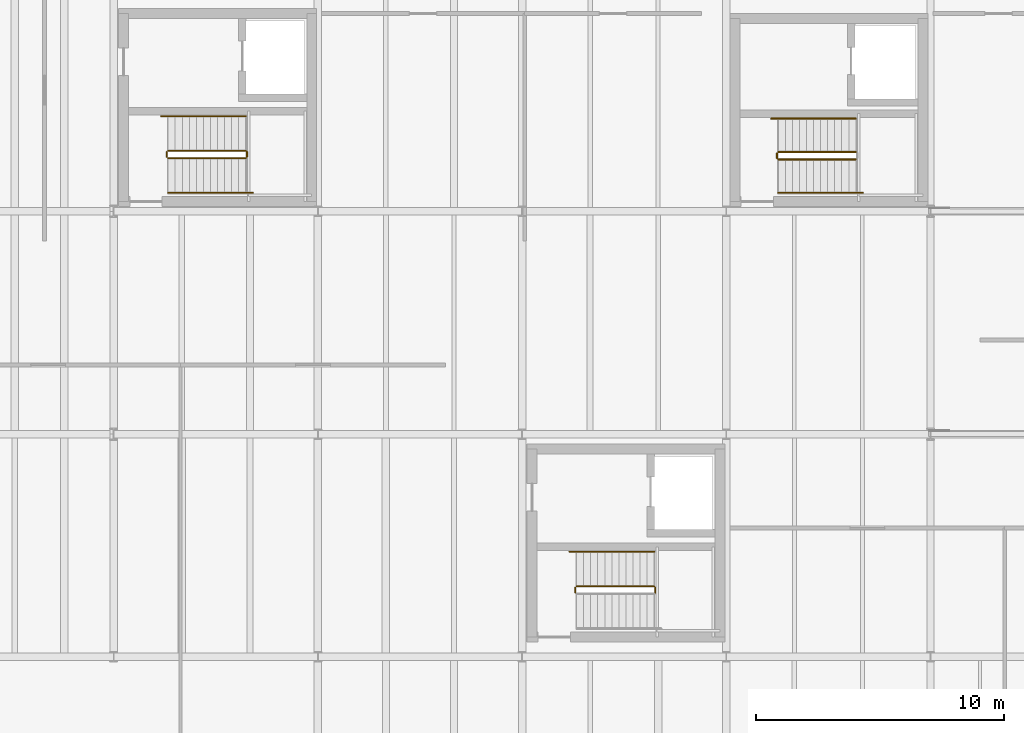
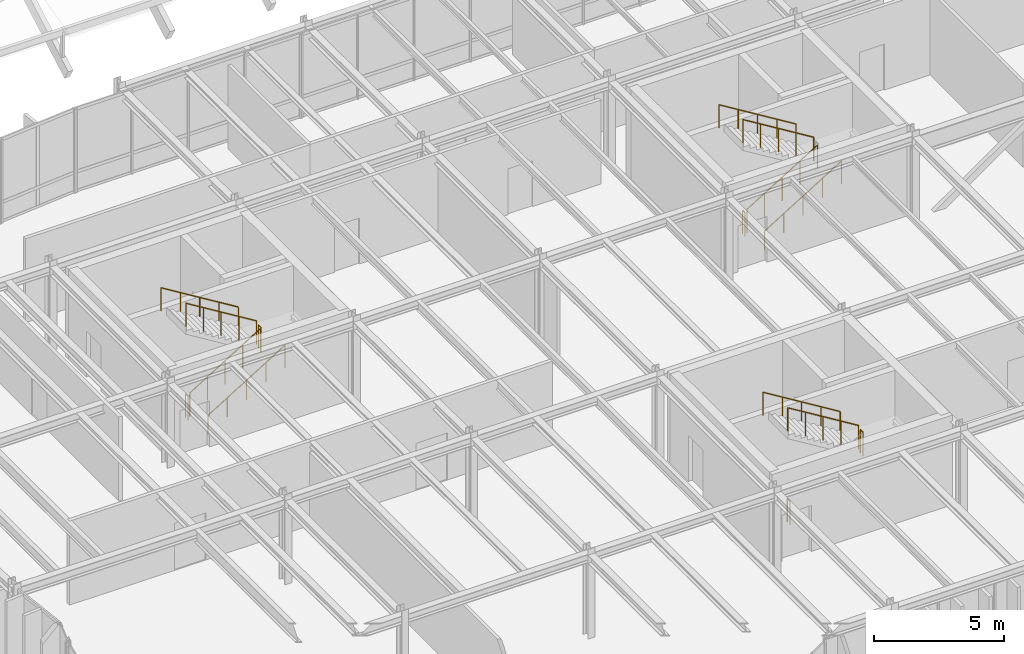
# One storey, part 62 of 69: 15 railings.
"""IFC4 building model written with IfcOpenShell, lengths in metres."""

from ifc_helpers import new_model, si_unit, direction, frame, origin, origin_2d, place, context, subcontext, project, spatial, circle, extrude, material, layer, layer_set, type_object, element, save


model = new_model("IFC4")

# Units and contexts
model_context = context("Model", 3, precision=1e-05, world=origin(), true_north=direction((0.0, 1.0)))
body_context = subcontext(model_context, "Body", "Model", "MODEL_VIEW")
ifc_project = project(units=[si_unit("LENGTHUNIT", "METRE"), si_unit("AREAUNIT", "SQUARE_METRE"), si_unit("VOLUMEUNIT", "CUBIC_METRE"), si_unit("PLANEANGLEUNIT", "RADIAN"), si_unit("MASSUNIT", "GRAM", prefix="KILO")], contexts=[model_context])

# Site, building, storey
site_placement = place(None, origin())
site = spatial("IfcSite", under=ifc_project, at=site_placement, CompositionType="ELEMENT")
building_placement = place(site_placement, origin())
building = spatial("IfcBuilding", under=site, at=building_placement, Name="Montealbar Specialist Clinic", CompositionType="ELEMENT")
storey_placement = place(building_placement, frame((0.0, 0.0, 9.60009765625)))
storey = spatial("IfcBuildingStorey", under=building, at=storey_placement, Name="L02", CompositionType="ELEMENT", Elevation=9.60009765625)

# Railings
ifc_material = material(Name="Steel S355", Category="steel")
ifc_layer_1 = layer(ifc_material, 0.050048828125, Name="Steel S355", Category="steel")
ifc_layer_set_1 = layer_set([ifc_layer_1], Name="Steel S355")
railing_type_1 = type_object("IfcRailingType", Name="RAIL-STAIR-BAL-1100", PredefinedType="BALUSTRADE", material=ifc_layer_set_1)
railing_1_placement = place(storey_placement, frame((68.199951171875, 29.14990234375, 0.1748046875)))
element("IfcRailing", 1, at=railing_1_placement, inside=storey, type_object=railing_type_1, Name="L02 ST-03 stair guard 1", PredefinedType="BALUSTRADE", context=body_context, shape_type="SweptSolid", body=[
    extrude(circle(Radius=0.02392578125, at=origin_2d()), frame((0.0, 0.0, 1.076171875), z_axis=(0.852166034122, 0.0, 0.523271488128), x_axis=(0.0, 1.0, 0.0)), (0.0, 0.0, 1.0), 3.678955078125),
    extrude(circle(Radius=0.02099609375, at=origin_2d()), frame((0.0, 0.0, -0.02490234375)), (0.0, 0.0, 1.0), 1.076904296875),
    extrude(circle(Radius=0.02099609375, at=origin_2d()), frame((0.78369140625, 0.0, 0.456298828125)), (0.0, 0.0, 1.0), 1.076904296875),
    extrude(circle(Radius=0.02099609375, at=origin_2d()), frame((1.5673828125, 0.0, 0.9375)), (0.0, 0.0, 1.0), 1.076904296875),
    extrude(circle(Radius=0.02099609375, at=origin_2d()), frame((2.351318359375, 0.0, 1.418701171875)), (0.0, 0.0, 1.0), 1.076904296875),
    extrude(circle(Radius=0.02099609375, at=origin_2d()), frame((3.135009765625, 0.0, 1.900146484375)), (0.0, 0.0, 1.0), 1.076904296875),
])
railing_2_placement = place(storey_placement, frame((71.385009765625, 29.199951171875, 2.099853515625)))
element("IfcRailing", 2, at=railing_2_placement, inside=storey, type_object=railing_type_1, Name="L02 ST-03 stair guard 2", PredefinedType="BALUSTRADE", context=body_context, shape_type="SweptSolid", body=[
    extrude(circle(Radius=0.02392578125, at=origin_2d()), frame((0.0, 0.0, 1.076171875), z_axis=(0.0, 1.0, 0.0), x_axis=(-1.0, 0.0, 0.0)), (0.0, 0.0, 1.0), 0.199951171875),
    extrude(circle(Radius=0.02099609375, at=origin_2d()), frame((0.0, 0.0, -0.02490234375)), (0.0, 0.0, 1.0), 1.076904296875),
    extrude(circle(Radius=0.02099609375, at=origin_2d()), frame((0.0, 0.199951171875, -0.02490234375)), (0.0, 0.0, 1.0), 1.076904296875),
])
railing_3_placement = place(storey_placement, frame((71.3349609375, 29.449951171875, 2.27490234375)))
element("IfcRailing", 3, at=railing_3_placement, inside=storey, type_object=railing_type_1, Name="L02 ST-03 stair guard 3", PredefinedType="BALUSTRADE", context=body_context, shape_type="SweptSolid", body=[
    extrude(circle(Radius=0.02392578125, at=origin_2d()), frame((0.0, 0.0, 1.076171875), z_axis=(-0.852166034122, 0.0, 0.523271488128), x_axis=(0.0, -1.0, 0.0)), (0.0, 0.0, 1.0), 3.678955078125),
    extrude(circle(Radius=0.02099609375, at=origin_2d()), frame((0.0, 0.0, -0.02490234375)), (0.0, 0.0, 1.0), 1.076904296875),
    extrude(circle(Radius=0.02099609375, at=origin_2d()), frame((-0.78369140625, 0.0, 0.456298828125)), (0.0, 0.0, 1.0), 1.076904296875),
    extrude(circle(Radius=0.02099609375, at=origin_2d()), frame((-1.5673828125, 0.0, 0.9375)), (0.0, 0.0, 1.0), 1.076904296875),
    extrude(circle(Radius=0.02099609375, at=origin_2d()), frame((-2.351318359375, 0.0, 1.418701171875)), (0.0, 0.0, 1.0), 1.076904296875),
    extrude(circle(Radius=0.02099609375, at=origin_2d()), frame((-3.135009765625, 0.0, 1.900146484375)), (0.0, 0.0, 1.0), 1.076904296875),
])
for number, where, name in (
    (4, (68.14990234375, 29.199951171875, 0.0), "L02 ST-03 stair guard 4"),
    (5, (87.885009765625, 11.60009765625, 2.099853515625), "L02 ST-04 stair guard 2"),
):
    element("IfcRailing", number, at=place(storey_placement, frame(where)), inside=storey, type_object=railing_type_1, Name=name, PredefinedType="BALUSTRADE", context=body_context, shape_type="SweptSolid", body=[
        extrude(circle(Radius=0.02392578125, at=origin_2d()), frame((0.0, 0.0, 1.076171875), z_axis=(0.0, 1.0, 0.0), x_axis=(-1.0, 0.0, 0.0)), (0.0, 0.0, 1.0), 0.199951171875),
        extrude(circle(Radius=0.02099609375, at=origin_2d()), frame((0.0, 0.0, -0.02490234375)), (0.0, 0.0, 1.0), 1.076904296875),
        extrude(circle(Radius=0.02099609375, at=origin_2d()), frame((0.0, 0.199951171875, -0.02490234375)), (0.0, 0.0, 1.0), 1.076904296875),
    ])
railing_4_placement = place(storey_placement, frame((87.8349609375, 11.85009765625, 2.27490234375)))
element("IfcRailing", 6, at=railing_4_placement, inside=storey, type_object=railing_type_1, Name="L02 ST-04 stair guard 3", PredefinedType="BALUSTRADE", context=body_context, shape_type="SweptSolid", body=[
    extrude(circle(Radius=0.02392578125, at=origin_2d()), frame((0.0, 0.0, 1.076171875), z_axis=(-0.852166034122, 0.0, 0.523271488128), x_axis=(0.0, -1.0, 0.0)), (0.0, 0.0, 1.0), 3.678955078125),
    extrude(circle(Radius=0.02099609375, at=origin_2d()), frame((0.0, 0.0, -0.02490234375)), (0.0, 0.0, 1.0), 1.076904296875),
    extrude(circle(Radius=0.02099609375, at=origin_2d()), frame((-0.78369140625, 0.0, 0.456298828125)), (0.0, 0.0, 1.0), 1.076904296875),
    extrude(circle(Radius=0.02099609375, at=origin_2d()), frame((-1.5673828125, 0.0, 0.9375)), (0.0, 0.0, 1.0), 1.076904296875),
    extrude(circle(Radius=0.02099609375, at=origin_2d()), frame((-2.351318359375, 0.0, 1.418701171875)), (0.0, 0.0, 1.0), 1.076904296875),
    extrude(circle(Radius=0.02099609375, at=origin_2d()), frame((-3.135009765625, 0.0, 1.900146484375)), (0.0, 0.0, 1.0), 1.076904296875),
])
railing_5_placement = place(storey_placement, frame((84.64990234375, 11.60009765625, 0.0)))
element("IfcRailing", 7, at=railing_5_placement, inside=storey, type_object=railing_type_1, Name="L02 ST-04 stair guard 4", PredefinedType="BALUSTRADE", context=body_context, shape_type="SweptSolid", body=[
    extrude(circle(Radius=0.02392578125, at=origin_2d()), frame((0.0, 0.0, 1.076171875), z_axis=(0.0, 1.0, 0.0), x_axis=(-1.0, 0.0, 0.0)), (0.0, 0.0, 1.0), 0.199951171875),
    extrude(circle(Radius=0.02099609375, at=origin_2d()), frame((0.0, 0.0, -0.02490234375)), (0.0, 0.0, 1.0), 1.076904296875),
    extrude(circle(Radius=0.02099609375, at=origin_2d()), frame((0.0, 0.199951171875, -0.02490234375)), (0.0, 0.0, 1.0), 1.076904296875),
])
railing_6_placement = place(storey_placement, frame((92.85009765625, 29.10009765625, 0.1748046875)))
element("IfcRailing", 8, at=railing_6_placement, inside=storey, type_object=railing_type_1, Name="L02 ST-05 stair guard 1", PredefinedType="BALUSTRADE", context=body_context, shape_type="SweptSolid", body=[
    extrude(circle(Radius=0.02392578125, at=origin_2d()), frame((0.0, 0.0, 1.076171875), z_axis=(0.852166034122, 0.0, 0.523271488128), x_axis=(0.0, 1.0, 0.0)), (0.0, 0.0, 1.0), 3.678955078125),
    extrude(circle(Radius=0.02099609375, at=origin_2d()), frame((0.0, 0.0, -0.02490234375)), (0.0, 0.0, 1.0), 1.076904296875),
    extrude(circle(Radius=0.02099609375, at=origin_2d()), frame((0.78369140625, 0.0, 0.456298828125)), (0.0, 0.0, 1.0), 1.076904296875),
    extrude(circle(Radius=0.02099609375, at=origin_2d()), frame((1.5673828125, 0.0, 0.9375)), (0.0, 0.0, 1.0), 1.076904296875),
    extrude(circle(Radius=0.02099609375, at=origin_2d()), frame((2.351318359375, 0.0, 1.418701171875)), (0.0, 0.0, 1.0), 1.076904296875),
    extrude(circle(Radius=0.02099609375, at=origin_2d()), frame((3.135009765625, 0.0, 1.900146484375)), (0.0, 0.0, 1.0), 1.076904296875),
])
railing_7_placement = place(storey_placement, frame((95.985107421875, 29.39990234375, 2.27490234375)))
element("IfcRailing", 9, at=railing_7_placement, inside=storey, type_object=railing_type_1, Name="L02 ST-05 stair guard 3", PredefinedType="BALUSTRADE", context=body_context, shape_type="SweptSolid", body=[
    extrude(circle(Radius=0.02392578125, at=origin_2d()), frame((0.0, 0.0, 1.076171875), z_axis=(-0.852166034122, 0.0, 0.523271488128), x_axis=(0.0, -1.0, 0.0)), (0.0, 0.0, 1.0), 3.678955078125),
    extrude(circle(Radius=0.02099609375, at=origin_2d()), frame((0.0, 0.0, -0.02490234375)), (0.0, 0.0, 1.0), 1.076904296875),
    extrude(circle(Radius=0.02099609375, at=origin_2d()), frame((-0.78369140625, 0.0, 0.456298828125)), (0.0, 0.0, 1.0), 1.076904296875),
    extrude(circle(Radius=0.02099609375, at=origin_2d()), frame((-1.5673828125, 0.0, 0.9375)), (0.0, 0.0, 1.0), 1.076904296875),
    extrude(circle(Radius=0.02099609375, at=origin_2d()), frame((-2.351318359375, 0.0, 1.418701171875)), (0.0, 0.0, 1.0), 1.076904296875),
    extrude(circle(Radius=0.02099609375, at=origin_2d()), frame((-3.135009765625, 0.0, 1.900146484375)), (0.0, 0.0, 1.0), 1.076904296875),
])
railing_8_placement = place(storey_placement, frame((92.800048828125, 29.14990234375, 0.0)))
element("IfcRailing", 10, at=railing_8_placement, inside=storey, type_object=railing_type_1, Name="L02 ST-05 stair guard 4", PredefinedType="BALUSTRADE", context=body_context, shape_type="SweptSolid", body=[
    extrude(circle(Radius=0.02392578125, at=origin_2d()), frame((0.0, 0.0, 1.076171875), z_axis=(0.0, 1.0, 0.0), x_axis=(-1.0, 0.0, 0.0)), (0.0, 0.0, 1.0), 0.2001953125),
    extrude(circle(Radius=0.02099609375, at=origin_2d()), frame((0.0, 0.0, -0.02490234375)), (0.0, 0.0, 1.0), 1.076904296875),
    extrude(circle(Radius=0.02099609375, at=origin_2d()), frame((0.0, 0.2001953125, -0.02490234375)), (0.0, 0.0, 1.0), 1.076904296875),
])
ifc_layer_2 = layer(ifc_material, 0.044921875, Name="Steel S355", Category="steel")
ifc_layer_set_2 = layer_set([ifc_layer_2], Name="Steel S355")
railing_type_2 = type_object("IfcRailingType", Name="RAIL-STAIR-HR-900", PredefinedType="HANDRAIL", material=ifc_layer_set_2)
railing_9_placement = place(storey_placement, frame((68.199951171875, 27.75, 0.1748046875)))
element("IfcRailing", 11, at=railing_9_placement, inside=storey, type_object=railing_type_2, Name="L02 ST-03 stair handrail 1", PredefinedType="HANDRAIL", context=body_context, shape_type="SweptSolid", body=[
    extrude(circle(Radius=0.02392578125, at=origin_2d()), frame((0.0, 0.0, 0.8759765625), z_axis=(0.852171701593, 0.0, 0.523262258341), x_axis=(0.0, 1.0, 0.0)), (0.0, 0.0, 1.0), 4.013427734375),
    extrude(circle(Radius=0.02099609375, at=origin_2d()), frame((0.0, 0.0, -0.02490234375)), (0.0, 0.0, 1.0), 0.876708984375),
    extrude(circle(Radius=0.02099609375, at=origin_2d()), frame((0.85498046875, 0.0, 0.5)), (0.0, 0.0, 1.0), 0.876708984375),
    extrude(circle(Radius=0.02099609375, at=origin_2d()), frame((1.7099609375, 0.0, 1.025146484375)), (0.0, 0.0, 1.0), 0.876708984375),
    extrude(circle(Radius=0.02099609375, at=origin_2d()), frame((2.565185546875, 0.0, 1.550048828125)), (0.0, 0.0, 1.0), 0.876708984375),
    extrude(circle(Radius=0.02099609375, at=origin_2d()), frame((3.420166015625, 0.0, 1.900146484375)), (0.0, 0.0, 1.0), 1.0517578125),
])
for number, where, name in (
    (12, (71.3349609375, 30.85009765625, 2.27490234375), "L02 ST-03 stair handrail 2"),
    (13, (87.8349609375, 13.25, 2.27490234375), "L02 ST-04 stair handrail 2"),
):
    element("IfcRailing", number, at=place(storey_placement, frame(where)), inside=storey, type_object=railing_type_2, Name=name, PredefinedType="HANDRAIL", context=body_context, shape_type="SweptSolid", body=[
        extrude(circle(Radius=0.02392578125, at=origin_2d()), frame((0.0, 0.0, 0.8759765625), z_axis=(-0.852155044755, 0.0, 0.523289384279), x_axis=(0.0, -1.0, 0.0)), (0.0, 0.0, 1.0), 4.01318359375),
        extrude(circle(Radius=0.02099609375, at=origin_2d()), frame((0.0, 0.0, -0.02490234375)), (0.0, 0.0, 1.0), 0.876708984375),
        extrude(circle(Radius=0.02099609375, at=origin_2d()), frame((-0.85498046875, 0.0, 0.5)), (0.0, 0.0, 1.0), 0.876708984375),
        extrude(circle(Radius=0.02099609375, at=origin_2d()), frame((-1.7099609375, 0.0, 1.025146484375)), (0.0, 0.0, 1.0), 0.876708984375),
        extrude(circle(Radius=0.02099609375, at=origin_2d()), frame((-2.56494140625, 0.0, 1.550048828125)), (0.0, 0.0, 1.0), 0.876708984375),
        extrude(circle(Radius=0.02099609375, at=origin_2d()), frame((-3.419921875, 0.0, 1.900146484375)), (0.0, 0.0, 1.0), 1.0517578125),
    ])
railing_10_placement = place(storey_placement, frame((92.85009765625, 27.75, 0.1748046875)))
element("IfcRailing", 14, at=railing_10_placement, inside=storey, type_object=railing_type_2, Name="L02 ST-05 stair handrail 1", PredefinedType="HANDRAIL", context=body_context, shape_type="SweptSolid", body=[
    extrude(circle(Radius=0.02392578125, at=origin_2d()), frame((0.0, 0.0, 0.8759765625), z_axis=(0.852155044755, 0.0, 0.523289384279), x_axis=(0.0, 1.0, 0.0)), (0.0, 0.0, 1.0), 4.01318359375),
    extrude(circle(Radius=0.02099609375, at=origin_2d()), frame((0.0, 0.0, -0.02490234375)), (0.0, 0.0, 1.0), 0.876708984375),
    extrude(circle(Radius=0.02099609375, at=origin_2d()), frame((0.85498046875, 0.0, 0.5)), (0.0, 0.0, 1.0), 0.876708984375),
    extrude(circle(Radius=0.02099609375, at=origin_2d()), frame((1.7099609375, 0.0, 1.025146484375)), (0.0, 0.0, 1.0), 0.876708984375),
    extrude(circle(Radius=0.02099609375, at=origin_2d()), frame((2.56494140625, 0.0, 1.550048828125)), (0.0, 0.0, 1.0), 0.876708984375),
    extrude(circle(Radius=0.02099609375, at=origin_2d()), frame((3.419921875, 0.0, 1.900146484375)), (0.0, 0.0, 1.0), 1.0517578125),
])
railing_11_placement = place(storey_placement, frame((95.985107421875, 30.75, 2.27490234375)))
element("IfcRailing", 15, at=railing_11_placement, inside=storey, type_object=railing_type_2, Name="L02 ST-05 stair handrail 2", PredefinedType="HANDRAIL", context=body_context, shape_type="SweptSolid", body=[
    extrude(circle(Radius=0.02392578125, at=origin_2d()), frame((0.0, 0.0, 0.8759765625), z_axis=(-0.852171701593, 0.0, 0.523262258341), x_axis=(0.0, -1.0, 0.0)), (0.0, 0.0, 1.0), 4.013427734375),
    extrude(circle(Radius=0.02099609375, at=origin_2d()), frame((0.0, 0.0, -0.02490234375)), (0.0, 0.0, 1.0), 0.876708984375),
    extrude(circle(Radius=0.02099609375, at=origin_2d()), frame((-0.85498046875, 0.0, 0.5)), (0.0, 0.0, 1.0), 0.876708984375),
    extrude(circle(Radius=0.02099609375, at=origin_2d()), frame((-1.7099609375, 0.0, 1.025146484375)), (0.0, 0.0, 1.0), 0.876708984375),
    extrude(circle(Radius=0.02099609375, at=origin_2d()), frame((-2.565185546875, 0.0, 1.550048828125)), (0.0, 0.0, 1.0), 0.876708984375),
    extrude(circle(Radius=0.02099609375, at=origin_2d()), frame((-3.420166015625, 0.0, 1.900146484375)), (0.0, 0.0, 1.0), 1.0517578125),
])

save(model, "model.ifc")
